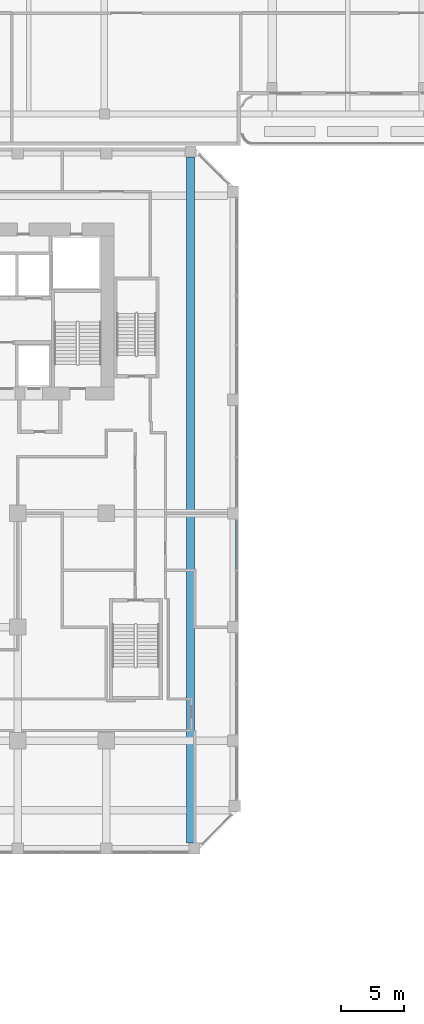
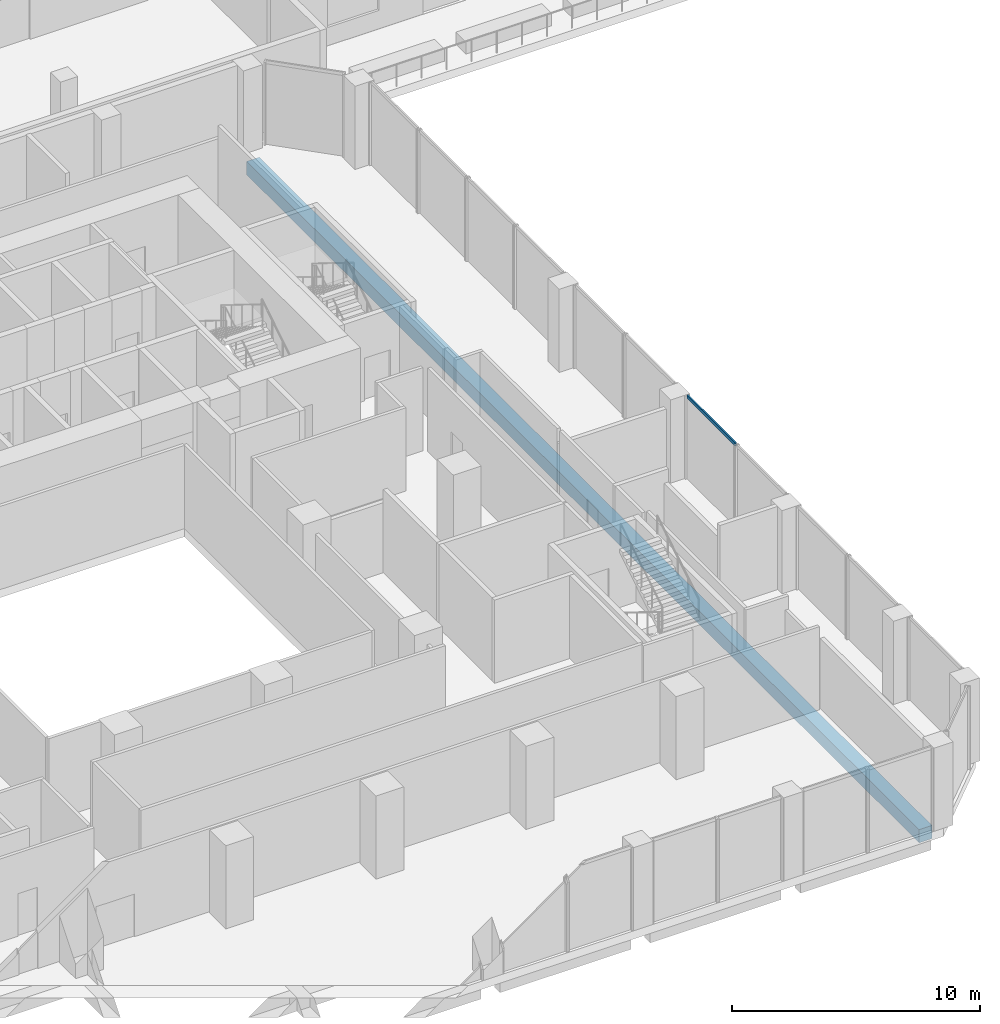
# One storey, part 6 of 35: 1 beam, 1 member, 1 element without a shape of its own.
"""IFC4 building model written with IfcOpenShell, lengths in metres."""

from ifc_helpers import new_model, si_unit, direction, frame, origin, origin_2d, place, context, subcontext, project, spatial, rectangle, extrude, source, transform, mapped, material, material_profile, profile_set, type_object, element, aggregate, save


model = new_model("IFC4")

# Units and contexts
model_context = context("Model", 3, precision=1e-05, world=origin(), true_north=direction((0.0, 1.0)))
body_context = subcontext(model_context, "Body", "Model", "MODEL_VIEW")
ifc_project = project(units=[si_unit("LENGTHUNIT", "METRE"), si_unit("AREAUNIT", "SQUARE_METRE"), si_unit("VOLUMEUNIT", "CUBIC_METRE"), si_unit("PLANEANGLEUNIT", "RADIAN"), si_unit("MASSUNIT", "GRAM", prefix="KILO")], contexts=[model_context])

# Site, building, storey
site_placement = place(None, origin())
site = spatial("IfcSite", under=ifc_project, at=site_placement, CompositionType="ELEMENT")
building_placement = place(site_placement, origin())
building = spatial("IfcBuilding", under=site, at=building_placement, Name="Kilnfold Tower and Market Hall", CompositionType="ELEMENT")
storey_placement = place(building_placement, frame((0.0, 0.0, 13.5)))
storey = spatial("IfcBuildingStorey", under=building, at=storey_placement, Name="L02", CompositionType="ELEMENT", Elevation=13.5)

# Beam
ifc_material_1 = material(Name="Concrete C45", Category="concrete")
ifc_material_profile_1 = material_profile(ifc_material_1, rectangle(XDim=0.60009765625, YDim=0.64990234375, at=origin_2d()), Name="RC 600x650")
ifc_profile_set_1 = profile_set([ifc_material_profile_1], Name="Concrete C45")
beam_type = type_object("IfcBeamType", Name="BEAM 600X650 C45", PredefinedType="BEAM", material=ifc_profile_set_1)
shared_shape_1 = source(origin(), body_context, "Body", "SweptSolid", [
    extrude(rectangle(XDim=0.60009765625, YDim=0.64990234375, at=origin_2d()), origin(), (0.0, 0.0, 1.0), 54.331787109375),
])
beam_placement = place(storey_placement, frame((24.179931640625, -27.10009765625, -0.72509765625), z_axis=(0.0, 1.0, 0.0), x_axis=(-1.0, 0.0, 0.0)))
element("IfcBeam", 1, at=beam_placement, inside=storey, type_object=beam_type, Name="Beam BB650-B1.57", PredefinedType="BEAM", context=body_context, shape_type="MappedRepresentation", body=[
    mapped(shared_shape_1, transform((0.0, 0.0, 0.0))),
])

# Curtain wall, member
ifc_material_2 = material(Name="Aluminium and double glazing", Category="aluminium")
curtain_wall_type = type_object("IfcCurtainWallType", Name="CW BASE PODIUM GLAZING", PredefinedType="NOTDEFINED", material=ifc_material_2)
curtain_wall_placement = place(storey_placement, origin())
curtain_wall = element("IfcCurtainWall", 2, at=curtain_wall_placement, inside=storey, type_object=curtain_wall_type, Name="Curtain wall CW4 L02 E", PredefinedType="NOTDEFINED")
ifc_material_3 = material(Name="Aluminium", Category="aluminium")
ifc_material_profile_2 = material_profile(ifc_material_3, rectangle(XDim=0.070068359375, YDim=0.159912109375, at=origin_2d()), Name="TRANSOM 70x160")
ifc_profile_set_2 = profile_set([ifc_material_profile_2], Name="Aluminium")
member_type = type_object("IfcMemberType", Name="TRANSOM 70X160", PredefinedType="USERDEFINED", material=ifc_profile_set_2)
shared_shape_2 = source(origin(), body_context, "Body", "SweptSolid", [
    extrude(rectangle(XDim=0.070068359375, YDim=0.159912109375, at=origin_2d()), origin(), (0.0, 0.0, 1.0), 3.909912109375),
])
member_placement = place(storey_placement, frame((27.85009765625, -5.429931640625, 4.06494140625), z_axis=(0.0, 1.0, 0.0), x_axis=(-1.0, 0.0, 0.0)))
member = element("IfcMember", 3, at=member_placement, type_object=member_type, Name="CW4 transom 1.2", ObjectType="TRANSOM", PredefinedType="USERDEFINED", context=body_context, shape_type="MappedRepresentation", body=[
    mapped(shared_shape_2, transform((0.0, 0.0, 0.0))),
])
aggregate(curtain_wall, [member])

save(model, "model.ifc")
